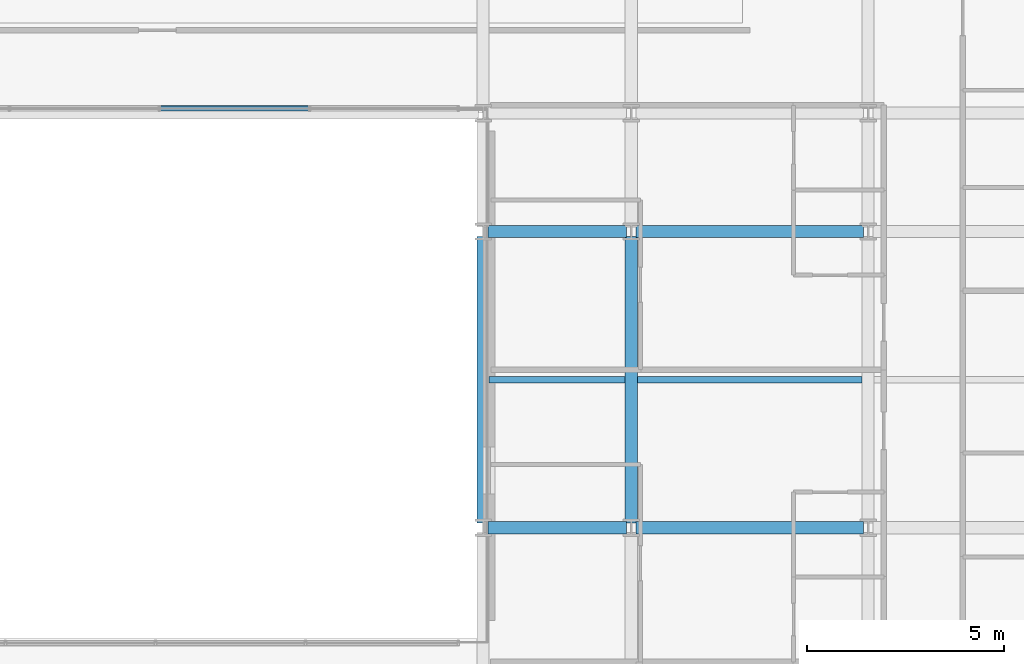
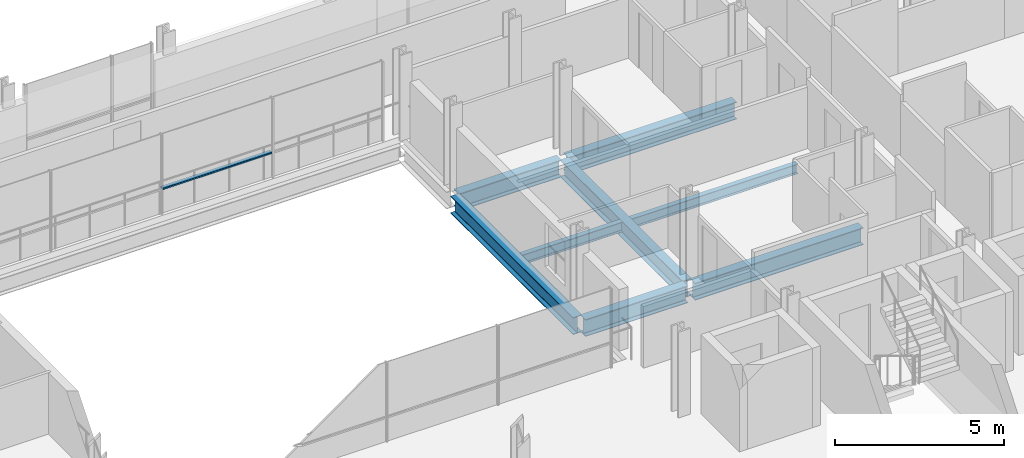
# One storey, part 16 of 38: 8 beams, 1 member, 1 element without a shape of its own.
"""IFC4 building model written with IfcOpenShell, lengths in metres."""

import ifcopenshell
import ifcopenshell.guid

model = None  # the IFC model being written
_history = None  # IfcOwnerHistory: only IFC2X3 demands one
_inside = {}  # id of a spatial element -> (the spatial element, [elements in it])
_under = {}  # id of a project, library or spatial element -> (it, [spatial elements below it])
_declared = {}  # id of a project -> (the project, [libraries it declares])
_typed = {}  # id of a type object -> (the type object, [elements of that type])
_made_of = {}  # id of a material, layer set ... -> (it, [elements and type objects made of it])


def new_model(schema):
    """Start an empty IFC model of exactly this schema.

    Asked for "IFC4X3", IfcOpenShell would pick the latest addendum, in which some entities
    have other attributes; the version numbers below select the first issue.
    IFC2X3 requires an IfcOwnerHistory on every rooted entity: one is made here for all.
    """
    global model, _history
    if schema == "IFC4X3":
        model = ifcopenshell.file(schema_version=(4, 3, 0, 0))
    else:
        model = ifcopenshell.file(schema=schema)
    _inside.clear()
    _under.clear()
    _declared.clear()
    _typed.clear()
    _made_of.clear()
    _history = None
    if model.schema == "IFC2X3":
        org = make("IfcOrganization", Name="unknown")
        user = make(
            "IfcPersonAndOrganization",
            ThePerson=make("IfcPerson", FamilyName="unknown"),
            TheOrganization=org,
        )
        app = make(
            "IfcApplication",
            ApplicationDeveloper=org,
            Version="unknown",
            ApplicationFullName="unknown",
            ApplicationIdentifier="unknown",
        )
        _history = make(
            "IfcOwnerHistory",
            OwningUser=user,
            OwningApplication=app,
            ChangeAction="ADDED",
            CreationDate=0,
        )
    return model


def make(cls, **values):
    """One entity of the class cls with the attributes given. An attribute that is None is left unset."""
    return model.create_entity(
        cls, **{name: value for name, value in values.items() if value is not None}
    )


def rooted(cls, **values):
    """An entity with a GlobalId (a new one), such as an element, a storey or a relation."""
    return make(cls, GlobalId=ifcopenshell.guid.new(), OwnerHistory=_history, **values)


def si_unit(unit_type, name, prefix=None):
    """IfcSIUnit, for example si_unit("LENGTHUNIT", "METRE", prefix="MILLI")."""
    return make("IfcSIUnit", UnitType=unit_type, Prefix=prefix, Name=name)


def assignment(units):
    """IfcUnitAssignment: the units of a project."""
    return None if units is None else make("IfcUnitAssignment", Units=units)


def point(xyz):
    """IfcCartesianPoint."""
    return None if xyz is None else make("IfcCartesianPoint", Coordinates=xyz)


def direction(xyz):
    """IfcDirection."""
    return None if xyz is None else make("IfcDirection", DirectionRatios=xyz)


def frame(location, z_axis=None, x_axis=None):
    """IfcAxis2Placement3D, a coordinate frame: its origin and axes. An axis left out is left unset."""
    return make(
        "IfcAxis2Placement3D",
        Location=point(location),
        Axis=direction(z_axis),
        RefDirection=direction(x_axis),
    )


def frame_2d(location, x_axis=None):
    """IfcAxis2Placement2D, a coordinate frame in the plane: its origin and x axis."""
    return make(
        "IfcAxis2Placement2D", Location=point(location), RefDirection=direction(x_axis)
    )


def origin():
    """The frame at (0, 0, 0) with its axes left unset."""
    return frame((0.0, 0.0, 0.0))


def origin_2d():
    """The frame at (0, 0) in the plane with its x axis left unset."""
    return frame_2d((0.0, 0.0))


def place(relative_to, where):
    """IfcLocalPlacement: puts the frame where relative to a parent placement (None: the world)."""
    return make(
        "IfcLocalPlacement", PlacementRelTo=relative_to, RelativePlacement=where
    )


def context(
    kind, dimensions, precision=None, world=None, true_north=None, identifier=None
):
    """IfcGeometricRepresentationContext, for example the 3D "Model" context."""
    return make(
        "IfcGeometricRepresentationContext",
        ContextIdentifier=identifier,
        ContextType=kind,
        CoordinateSpaceDimension=dimensions,
        Precision=precision,
        WorldCoordinateSystem=world,
        TrueNorth=true_north,
    )


def subcontext(parent, identifier, kind, view, scale=None):
    """IfcGeometricRepresentationSubContext, for example "Body" below "Model"."""
    return make(
        "IfcGeometricRepresentationSubContext",
        ContextIdentifier=identifier,
        ContextType=kind,
        ParentContext=parent,
        TargetScale=scale,
        TargetView=view,
    )


def project(units=None, contexts=None):
    """IfcProject with its units and contexts."""
    return rooted(
        "IfcProject",
        Name="project",
        RepresentationContexts=contexts,
        UnitsInContext=assignment(units),
    )


def spatial(cls, under=None, at=None, **own):
    """A site, building, storey or space (cls), placed at a placement, below another one or the project."""
    s = rooted(cls, ObjectPlacement=at, **own)
    if under is not None:
        _under.setdefault(under.id(), (under, []))[1].append(s)
    return s


def profile(cls, at=None, kind="AREA", **sizes):
    """A parametric profile (cls). Its sizes go by their IFC names, for example OverallWidth=200.0."""
    return make(cls, ProfileType=kind, Position=at, **sizes)


def hollow_rectangle(**sizes):
    """IfcRectangleHollowProfileDef."""
    return profile("IfcRectangleHollowProfileDef", **sizes)


def i_section(**sizes):
    """IfcIShapeProfileDef."""
    return profile("IfcIShapeProfileDef", **sizes)


def extrude(swept, where, along, depth):
    """IfcExtrudedAreaSolid: the profile swept, set in the frame where, extruded along a direction by depth."""
    return make(
        "IfcExtrudedAreaSolid",
        SweptArea=swept,
        Position=where,
        ExtrudedDirection=direction(along),
        Depth=depth,
    )


def shape(context_of_items, identifier, shape_type, items):
    """IfcShapeRepresentation: the items that make up one representation, for example the "Body"."""
    return make(
        "IfcShapeRepresentation",
        ContextOfItems=context_of_items,
        RepresentationIdentifier=identifier,
        RepresentationType=shape_type,
        Items=items,
    )


def material(Name=None, Category=None):
    """IfcMaterial."""
    return make("IfcMaterial", Name=Name, Category=Category)


def layer(
    of_material, thickness, ventilated=None, Name=None, Category=None, Priority=None
):
    """IfcMaterialLayer: one layer of a wall or slab, of a material (None: an air gap)."""
    return make(
        "IfcMaterialLayer",
        Material=of_material,
        LayerThickness=thickness,
        IsVentilated=ventilated,
        Name=Name,
        Category=Category,
        Priority=Priority,
    )


def layer_set(layers, Name=None):
    """IfcMaterialLayerSet."""
    return make("IfcMaterialLayerSet", MaterialLayers=layers, LayerSetName=Name)


def material_profile(
    of_material, cross_section, Name=None, Category=None, Priority=None
):
    """IfcMaterialProfile: a cross section and its material."""
    return make(
        "IfcMaterialProfile",
        Name=Name,
        Material=of_material,
        Profile=cross_section,
        Priority=Priority,
        Category=Category,
    )


def profile_set(profiles, Name=None, composite=None):
    """IfcMaterialProfileSet."""
    return make(
        "IfcMaterialProfileSet",
        Name=Name,
        MaterialProfiles=profiles,
        CompositeProfile=composite,
    )


def made_of(thing, what):
    """Note that an element or type object is made of a material, layer set ...; save() writes the relation."""
    if what is not None:
        _made_of.setdefault(what.id(), (what, []))[1].append(thing)
    return thing


def type_object(cls, material=None, **own):
    """A type object (cls), such as IfcWallType, which elements share."""
    return made_of(rooted(cls, **own), material)


def element(
    cls,
    number,
    at=None,
    inside=None,
    cuts=None,
    type_object=None,
    material=None,
    context=None,
    identifier="Body",
    shape_type=None,
    held_by="IfcProductDefinitionShape",
    body=None,
    shapes=None,
    **own,
):
    """One element of the class cls, such as IfcWall. Its Tag is "e" and its number.

    at: its placement. inside: the storey or other place that contains it. cuts: it is an
    opening in that element (IfcRelVoidsElement). A single representation is given by context,
    identifier, shape_type and body (its items); several are given by shapes. held_by: the class
    of the entity that holds the representations. save() writes the other relations.
    """
    e = rooted(cls, Tag="e%d" % number, ObjectPlacement=at, **own)
    if body is not None:
        shapes = [shape(context, identifier, shape_type, body)]
    if shapes is not None:
        e.Representation = make(held_by, Representations=shapes)
    if inside is not None:
        _inside.setdefault(inside.id(), (inside, []))[1].append(e)
    if cuts is not None:
        rooted(
            "IfcRelVoidsElement", RelatingBuildingElement=cuts, RelatedOpeningElement=e
        )
    if type_object is not None:
        _typed.setdefault(type_object.id(), (type_object, []))[1].append(e)
    return made_of(e, material)


def aggregate(whole, parts):
    """IfcRelAggregates: a whole, such as a stair, and the parts it consists of."""
    return rooted("IfcRelAggregates", RelatingObject=whole, RelatedObjects=parts)


def save(model, path):
    """Write the relations noted so far, then the file.

    IfcRelAggregates (storeys below a building ...), IfcRelContainedInSpatialStructure (elements
    in a storey), IfcRelDefinesByType, IfcRelAssociatesMaterial and IfcRelDeclares: one each for
    every whole, place, type object, material and project.
    """
    for whole, parts in _under.values():
        aggregate(whole, parts)
    for where, things in _inside.values():
        rooted(
            "IfcRelContainedInSpatialStructure",
            RelatedElements=things,
            RelatingStructure=where,
        )
    for kind, things in _typed.values():
        rooted("IfcRelDefinesByType", RelatedObjects=things, RelatingType=kind)
    for what, things in _made_of.values():
        rooted("IfcRelAssociatesMaterial", RelatedObjects=things, RelatingMaterial=what)
    for by, libraries in _declared.values():
        rooted("IfcRelDeclares", RelatingContext=by, RelatedDefinitions=libraries)
    model.write(path)


model = new_model("IFC4")

# Units and contexts
model_context = context("Model", 3, precision=1e-05, world=origin(), true_north=direction((0.0, 1.0)))
body_context = subcontext(model_context, "Body", "Model", "MODEL_VIEW")
ifc_project = project(units=[si_unit("LENGTHUNIT", "METRE"), si_unit("AREAUNIT", "SQUARE_METRE"), si_unit("VOLUMEUNIT", "CUBIC_METRE"), si_unit("PLANEANGLEUNIT", "RADIAN"), si_unit("MASSUNIT", "GRAM", prefix="KILO")], contexts=[model_context])

# Site, building, storey
site_placement = place(None, origin())
site = spatial("IfcSite", under=ifc_project, at=site_placement, CompositionType="ELEMENT")
building_placement = place(site_placement, origin())
building = spatial("IfcBuilding", under=site, at=building_placement, Name="Brevholm Reach", CompositionType="ELEMENT")
storey_placement = place(building_placement, frame((0.0, 0.0, 65.199951171875)))
storey = spatial("IfcBuildingStorey", under=building, at=storey_placement, Name="L18", CompositionType="ELEMENT", Elevation=65.199951171875)

# Beams
ifc_material_1 = material(Name="Structural Steel S355J2", Category="steel")
ifc_material_profile_1 = material_profile(ifc_material_1, i_section(OverallWidth=0.17138671875, OverallDepth=0.35498046875, WebThickness=0.00732421875, FlangeThickness=0.011474609375, FilletRadius=0.01025390625, at=origin_2d()), Name="UKB 356x171x51")
ifc_profile_set_1 = profile_set([ifc_material_profile_1], Name="Structural Steel S355J2")
beam_type_1 = type_object("IfcBeamType", Name="BM-B356", PredefinedType="BEAM", material=ifc_profile_set_1)
beam_1_placement = place(storey_placement, frame((38.403564453125, 19.75, -0.407470703125), z_axis=(1.0, 0.0, 0.0), x_axis=(0.0, 1.0, 0.0)))
element("IfcBeam", 1, at=beam_1_placement, inside=storey, type_object=beam_type_1, Name="L18 Composite Secondary Floor Beam", PredefinedType="BEAM", context=body_context, shape_type="SweptSolid", body=[
    extrude(i_section(OverallWidth=0.17138671875, OverallDepth=0.35498046875, WebThickness=0.00732421875, FlangeThickness=0.011474609375, FilletRadius=0.01025390625, at=origin_2d()), origin(), (0.0, 0.0, 1.0), 3.44287109375),
])
beam_2_placement = place(storey_placement, frame((42.153564453125, 19.75, -0.407470703125), z_axis=(1.0, 0.0, 0.0), x_axis=(0.0, 1.0, 0.0)))
element("IfcBeam", 2, at=beam_2_placement, inside=storey, type_object=beam_type_1, Name="L18 Composite Secondary Floor Beam", PredefinedType="BEAM", context=body_context, shape_type="SweptSolid", body=[
    extrude(i_section(OverallWidth=0.17138671875, OverallDepth=0.35498046875, WebThickness=0.00732421875, FlangeThickness=0.011474609375, FilletRadius=0.01025390625, at=origin_2d()), origin(), (0.0, 0.0, 1.0), 5.69287109375),
])
ifc_material_2 = material(Name="Structural Steel S355J2", Category="steel")
ifc_material_profile_2 = material_profile(ifc_material_2, i_section(OverallWidth=0.30712890625, OverallDepth=0.6201171875, WebThickness=0.01416015625, FlangeThickness=0.023681640625, FilletRadius=0.0166015625, at=origin_2d()), Name="UKB 610x305x179")
ifc_profile_set_2 = profile_set([ifc_material_profile_2], Name="Structural Steel S355J2")
beam_type_2 = type_object("IfcBeamType", Name="BM-UKB610H", PredefinedType="USERDEFINED", material=ifc_profile_set_2)
beam_3_placement = place(storey_placement, frame((38.3701171875, 16.0, -0.5400390625), z_axis=(1.0, 0.0, 0.0), x_axis=(0.0, 1.0, 0.0)))
element("IfcBeam", 3, at=beam_3_placement, inside=storey, type_object=beam_type_2, Name="L18 G-06 Framing Beam", ObjectType="GIRDER", PredefinedType="USERDEFINED", context=body_context, shape_type="SweptSolid", body=[
    extrude(i_section(OverallWidth=0.30712890625, OverallDepth=0.6201171875, WebThickness=0.01416015625, FlangeThickness=0.023681640625, FilletRadius=0.0166015625, at=origin_2d()), origin(), (0.0, 0.0, 1.0), 3.509765625),
])
beam_4_placement = place(storey_placement, frame((42.1201171875, 16.0, -0.5400390625), z_axis=(1.0, 0.0, 0.0), x_axis=(0.0, 1.0, 0.0)))
element("IfcBeam", 4, at=beam_4_placement, inside=storey, type_object=beam_type_2, Name="L18 G-06 Framing Beam", ObjectType="GIRDER", PredefinedType="USERDEFINED", context=body_context, shape_type="SweptSolid", body=[
    extrude(i_section(OverallWidth=0.30712890625, OverallDepth=0.6201171875, WebThickness=0.01416015625, FlangeThickness=0.023681640625, FilletRadius=0.0166015625, at=origin_2d()), origin(), (0.0, 0.0, 1.0), 5.759765625),
])
beam_5_placement = place(storey_placement, frame((38.3701171875, 23.5, -0.5400390625), z_axis=(1.0, 0.0, 0.0), x_axis=(0.0, 1.0, 0.0)))
element("IfcBeam", 5, at=beam_5_placement, inside=storey, type_object=beam_type_2, Name="L18 G-06 Framing Beam", ObjectType="GIRDER", PredefinedType="USERDEFINED", context=body_context, shape_type="SweptSolid", body=[
    extrude(i_section(OverallWidth=0.30712890625, OverallDepth=0.6201171875, WebThickness=0.01416015625, FlangeThickness=0.023681640625, FilletRadius=0.0166015625, at=origin_2d()), origin(), (0.0, 0.0, 1.0), 3.509765625),
])
beam_6_placement = place(storey_placement, frame((42.1201171875, 23.5, -0.5400390625), z_axis=(1.0, 0.0, 0.0), x_axis=(0.0, 1.0, 0.0)))
element("IfcBeam", 6, at=beam_6_placement, inside=storey, type_object=beam_type_2, Name="L18 G-06 Framing Beam", ObjectType="GIRDER", PredefinedType="USERDEFINED", context=body_context, shape_type="SweptSolid", body=[
    extrude(i_section(OverallWidth=0.30712890625, OverallDepth=0.6201171875, WebThickness=0.01416015625, FlangeThickness=0.023681640625, FilletRadius=0.0166015625, at=origin_2d()), origin(), (0.0, 0.0, 1.0), 5.759765625),
])
for number, where, z_axis, x_axis, name in (
    (7, (38.25, 16.1201171875, -0.5400390625), (0.0, 1.0, 0.0), (-1.0, 0.0, 0.0), "L18 G-06 Framing Beam"),
    (8, (42.0, 16.1201171875, -0.5400390625), (0.0, 1.0, 0.0), (-1.0, 0.0, 0.0), "L18 G-06 Framing Beam"),
):
    element("IfcBeam", number, at=place(storey_placement, frame(where, z_axis=z_axis, x_axis=x_axis)), inside=storey, type_object=beam_type_2, Name=name, ObjectType="GIRDER", PredefinedType="USERDEFINED", context=body_context, shape_type="SweptSolid", body=[
        extrude(i_section(OverallWidth=0.30712890625, OverallDepth=0.6201171875, WebThickness=0.01416015625, FlangeThickness=0.023681640625, FilletRadius=0.0166015625, at=origin_2d()), origin(), (0.0, 0.0, 1.0), 7.259765625),
    ])

# Curtain wall, member
ifc_material_3 = material(Name="Dark Anodised Aluminium 6063-T6 and Solar-Control Glass", Category="aluminium")
ifc_layer = layer(ifc_material_3, 0.139892578125)
ifc_layer_set = layer_set([ifc_layer], Name="Dark Anodised Aluminium 6063-T6 and Solar-Control Glass")
curtain_wall_type = type_object("IfcCurtainWallType", Name="CW-02", PredefinedType="NOTDEFINED", material=ifc_layer_set)
curtain_wall_placement = place(storey_placement, origin())
curtain_wall = element("IfcCurtainWall", 9, at=curtain_wall_placement, inside=storey, type_object=curtain_wall_type, Name="L18 Curtain Wall CW-02", PredefinedType="NOTDEFINED")
ifc_material_4 = material(Name="Dark Anodised Aluminium 6063-T6", Category="aluminium")
ifc_material_profile_3 = material_profile(ifc_material_4, hollow_rectangle(XDim=0.06005859375, YDim=0.139892578125, WallThickness=0.0048828125, InnerFilletRadius=0.0048828125, OuterFilletRadius=0.010009765625, at=origin_2d()), Name="RHS 140x60x5")
ifc_profile_set_3 = profile_set([ifc_material_profile_3], Name="Dark Anodised Aluminium 6063-T6")
member_type = type_object("IfcMemberType", Name="CWT-140", PredefinedType="NOTDEFINED", material=ifc_profile_set_3)
member_placement = place(storey_placement, frame((33.820068359375, 26.6201171875, 0.900146484375), z_axis=(-1.0, 0.0, 0.0), x_axis=(0.0, 0.0, 1.0)))
member = element("IfcMember", 10, at=member_placement, type_object=member_type, Name="CT-140 Transom 2.1", ObjectType="TRANSOM", PredefinedType="USERDEFINED", context=body_context, shape_type="SweptSolid", body=[
    extrude(hollow_rectangle(XDim=0.06005859375, YDim=0.139892578125, WallThickness=0.0048828125, InnerFilletRadius=0.0048828125, OuterFilletRadius=0.010009765625, at=origin_2d()), origin(), (0.0, 0.0, 1.0), 3.739990234375),
])
aggregate(curtain_wall, [member])

save(model, "model.ifc")
